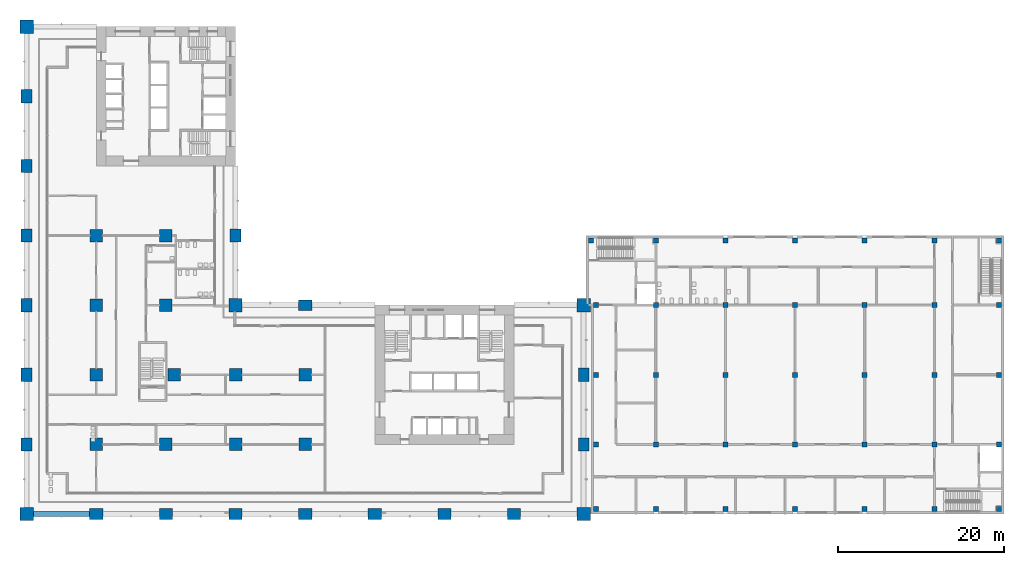
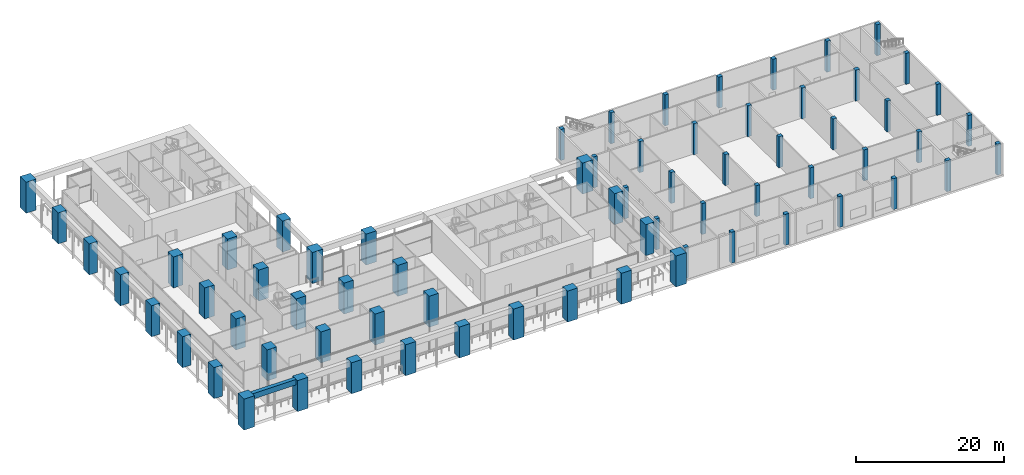
# One storey, part 1 of 33: 69 columns, 1 beam.
"""IFC4 building model written with IfcOpenShell, lengths in metres."""

import ifcopenshell
import ifcopenshell.guid

model = None  # the IFC model being written
_history = None  # IfcOwnerHistory: only IFC2X3 demands one
_inside = {}  # id of a spatial element -> (the spatial element, [elements in it])
_under = {}  # id of a project, library or spatial element -> (it, [spatial elements below it])
_declared = {}  # id of a project -> (the project, [libraries it declares])
_typed = {}  # id of a type object -> (the type object, [elements of that type])
_made_of = {}  # id of a material, layer set ... -> (it, [elements and type objects made of it])


def new_model(schema):
    """Start an empty IFC model of exactly this schema.

    Asked for "IFC4X3", IfcOpenShell would pick the latest addendum, in which some entities
    have other attributes; the version numbers below select the first issue.
    IFC2X3 requires an IfcOwnerHistory on every rooted entity: one is made here for all.
    """
    global model, _history
    if schema == "IFC4X3":
        model = ifcopenshell.file(schema_version=(4, 3, 0, 0))
    else:
        model = ifcopenshell.file(schema=schema)
    _inside.clear()
    _under.clear()
    _declared.clear()
    _typed.clear()
    _made_of.clear()
    _history = None
    if model.schema == "IFC2X3":
        org = make("IfcOrganization", Name="unknown")
        user = make(
            "IfcPersonAndOrganization",
            ThePerson=make("IfcPerson", FamilyName="unknown"),
            TheOrganization=org,
        )
        app = make(
            "IfcApplication",
            ApplicationDeveloper=org,
            Version="unknown",
            ApplicationFullName="unknown",
            ApplicationIdentifier="unknown",
        )
        _history = make(
            "IfcOwnerHistory",
            OwningUser=user,
            OwningApplication=app,
            ChangeAction="ADDED",
            CreationDate=0,
        )
    return model


def make(cls, **values):
    """One entity of the class cls with the attributes given. An attribute that is None is left unset."""
    return model.create_entity(
        cls, **{name: value for name, value in values.items() if value is not None}
    )


def rooted(cls, **values):
    """An entity with a GlobalId (a new one), such as an element, a storey or a relation."""
    return make(cls, GlobalId=ifcopenshell.guid.new(), OwnerHistory=_history, **values)


def si_unit(unit_type, name, prefix=None):
    """IfcSIUnit, for example si_unit("LENGTHUNIT", "METRE", prefix="MILLI")."""
    return make("IfcSIUnit", UnitType=unit_type, Prefix=prefix, Name=name)


def assignment(units):
    """IfcUnitAssignment: the units of a project."""
    return None if units is None else make("IfcUnitAssignment", Units=units)


def point(xyz):
    """IfcCartesianPoint."""
    return None if xyz is None else make("IfcCartesianPoint", Coordinates=xyz)


def direction(xyz):
    """IfcDirection."""
    return None if xyz is None else make("IfcDirection", DirectionRatios=xyz)


def frame(location, z_axis=None, x_axis=None):
    """IfcAxis2Placement3D, a coordinate frame: its origin and axes. An axis left out is left unset."""
    return make(
        "IfcAxis2Placement3D",
        Location=point(location),
        Axis=direction(z_axis),
        RefDirection=direction(x_axis),
    )


def frame_2d(location, x_axis=None):
    """IfcAxis2Placement2D, a coordinate frame in the plane: its origin and x axis."""
    return make(
        "IfcAxis2Placement2D", Location=point(location), RefDirection=direction(x_axis)
    )


def origin():
    """The frame at (0, 0, 0) with its axes left unset."""
    return frame((0.0, 0.0, 0.0))


def origin_2d():
    """The frame at (0, 0) in the plane with its x axis left unset."""
    return frame_2d((0.0, 0.0))


def place(relative_to, where):
    """IfcLocalPlacement: puts the frame where relative to a parent placement (None: the world)."""
    return make(
        "IfcLocalPlacement", PlacementRelTo=relative_to, RelativePlacement=where
    )


def context(
    kind, dimensions, precision=None, world=None, true_north=None, identifier=None
):
    """IfcGeometricRepresentationContext, for example the 3D "Model" context."""
    return make(
        "IfcGeometricRepresentationContext",
        ContextIdentifier=identifier,
        ContextType=kind,
        CoordinateSpaceDimension=dimensions,
        Precision=precision,
        WorldCoordinateSystem=world,
        TrueNorth=true_north,
    )


def subcontext(parent, identifier, kind, view, scale=None):
    """IfcGeometricRepresentationSubContext, for example "Body" below "Model"."""
    return make(
        "IfcGeometricRepresentationSubContext",
        ContextIdentifier=identifier,
        ContextType=kind,
        ParentContext=parent,
        TargetScale=scale,
        TargetView=view,
    )


def project(units=None, contexts=None):
    """IfcProject with its units and contexts."""
    return rooted(
        "IfcProject",
        Name="project",
        RepresentationContexts=contexts,
        UnitsInContext=assignment(units),
    )


def spatial(cls, under=None, at=None, **own):
    """A site, building, storey or space (cls), placed at a placement, below another one or the project."""
    s = rooted(cls, ObjectPlacement=at, **own)
    if under is not None:
        _under.setdefault(under.id(), (under, []))[1].append(s)
    return s


def profile(cls, at=None, kind="AREA", **sizes):
    """A parametric profile (cls). Its sizes go by their IFC names, for example OverallWidth=200.0."""
    return make(cls, ProfileType=kind, Position=at, **sizes)


def rectangle(**sizes):
    """IfcRectangleProfileDef."""
    return profile("IfcRectangleProfileDef", **sizes)


def extrude(swept, where, along, depth):
    """IfcExtrudedAreaSolid: the profile swept, set in the frame where, extruded along a direction by depth."""
    return make(
        "IfcExtrudedAreaSolid",
        SweptArea=swept,
        Position=where,
        ExtrudedDirection=direction(along),
        Depth=depth,
    )


def shape(context_of_items, identifier, shape_type, items):
    """IfcShapeRepresentation: the items that make up one representation, for example the "Body"."""
    return make(
        "IfcShapeRepresentation",
        ContextOfItems=context_of_items,
        RepresentationIdentifier=identifier,
        RepresentationType=shape_type,
        Items=items,
    )


def material(Name=None, Category=None):
    """IfcMaterial."""
    return make("IfcMaterial", Name=Name, Category=Category)


def material_profile(
    of_material, cross_section, Name=None, Category=None, Priority=None
):
    """IfcMaterialProfile: a cross section and its material."""
    return make(
        "IfcMaterialProfile",
        Name=Name,
        Material=of_material,
        Profile=cross_section,
        Priority=Priority,
        Category=Category,
    )


def profile_set(profiles, Name=None, composite=None):
    """IfcMaterialProfileSet."""
    return make(
        "IfcMaterialProfileSet",
        Name=Name,
        MaterialProfiles=profiles,
        CompositeProfile=composite,
    )


def made_of(thing, what):
    """Note that an element or type object is made of a material, layer set ...; save() writes the relation."""
    if what is not None:
        _made_of.setdefault(what.id(), (what, []))[1].append(thing)
    return thing


def type_object(cls, material=None, **own):
    """A type object (cls), such as IfcWallType, which elements share."""
    return made_of(rooted(cls, **own), material)


def element(
    cls,
    number,
    at=None,
    inside=None,
    cuts=None,
    type_object=None,
    material=None,
    context=None,
    identifier="Body",
    shape_type=None,
    held_by="IfcProductDefinitionShape",
    body=None,
    shapes=None,
    **own,
):
    """One element of the class cls, such as IfcWall. Its Tag is "e" and its number.

    at: its placement. inside: the storey or other place that contains it. cuts: it is an
    opening in that element (IfcRelVoidsElement). A single representation is given by context,
    identifier, shape_type and body (its items); several are given by shapes. held_by: the class
    of the entity that holds the representations. save() writes the other relations.
    """
    e = rooted(cls, Tag="e%d" % number, ObjectPlacement=at, **own)
    if body is not None:
        shapes = [shape(context, identifier, shape_type, body)]
    if shapes is not None:
        e.Representation = make(held_by, Representations=shapes)
    if inside is not None:
        _inside.setdefault(inside.id(), (inside, []))[1].append(e)
    if cuts is not None:
        rooted(
            "IfcRelVoidsElement", RelatingBuildingElement=cuts, RelatedOpeningElement=e
        )
    if type_object is not None:
        _typed.setdefault(type_object.id(), (type_object, []))[1].append(e)
    return made_of(e, material)


def aggregate(whole, parts):
    """IfcRelAggregates: a whole, such as a stair, and the parts it consists of."""
    return rooted("IfcRelAggregates", RelatingObject=whole, RelatedObjects=parts)


def save(model, path):
    """Write the relations noted so far, then the file.

    IfcRelAggregates (storeys below a building ...), IfcRelContainedInSpatialStructure (elements
    in a storey), IfcRelDefinesByType, IfcRelAssociatesMaterial and IfcRelDeclares: one each for
    every whole, place, type object, material and project.
    """
    for whole, parts in _under.values():
        aggregate(whole, parts)
    for where, things in _inside.values():
        rooted(
            "IfcRelContainedInSpatialStructure",
            RelatedElements=things,
            RelatingStructure=where,
        )
    for kind, things in _typed.values():
        rooted("IfcRelDefinesByType", RelatedObjects=things, RelatingType=kind)
    for what, things in _made_of.values():
        rooted("IfcRelAssociatesMaterial", RelatedObjects=things, RelatingMaterial=what)
    for by, libraries in _declared.values():
        rooted("IfcRelDeclares", RelatingContext=by, RelatedDefinitions=libraries)
    model.write(path)


model = new_model("IFC4")

# Units and contexts
model_context = context("Model", 3, precision=1e-05, world=origin(), true_north=direction((0.0, 1.0)))
body_context = subcontext(model_context, "Body", "Model", "MODEL_VIEW")
ifc_project = project(units=[si_unit("LENGTHUNIT", "METRE"), si_unit("AREAUNIT", "SQUARE_METRE"), si_unit("VOLUMEUNIT", "CUBIC_METRE"), si_unit("PLANEANGLEUNIT", "RADIAN"), si_unit("MASSUNIT", "GRAM", prefix="KILO")], contexts=[model_context])

# Site, building, storey
site_placement = place(None, origin())
site = spatial("IfcSite", under=ifc_project, at=site_placement, CompositionType="ELEMENT")
building_placement = place(site_placement, origin())
building = spatial("IfcBuilding", under=site, at=building_placement, Name="Vermilion Gate Residences", CompositionType="ELEMENT")
storey_placement = place(building_placement, frame((0.0, 0.0, 14.39990234375)))
storey = spatial("IfcBuildingStorey", under=building, at=storey_placement, Name="L02", CompositionType="ELEMENT", Elevation=14.39990234375)

# Columns
ifc_material_1 = material(Name="Concrete C80", Category="concrete")
ifc_material_profile_1 = material_profile(ifc_material_1, rectangle(XDim=1.5, YDim=1.5, at=origin_2d()), Name="RC-1500x1500")
ifc_profile_set_1 = profile_set([ifc_material_profile_1], Name="Concrete C80")
column_type_1 = type_object("IfcColumnType", Name="RC COLUMN 1500 X 1500 C80", PredefinedType="COLUMN", material=ifc_profile_set_1)
for number, where, z_axis, x_axis, name in (
    (1, (8.39990234375, 8.39990234375, 0.0), (0.0, 0.0, 1.0), (1.0, 0.0, 0.0), "Column 2-B L02"),
    (2, (8.39990234375, 16.800048828125, 0.0), (0.0, 0.0, 1.0), (1.0, 0.0, 0.0), "Column 2-C L02"),
    (3, (8.39990234375, 25.199951171875, 0.0), (0.0, 0.0, 1.0), (1.0, 0.0, 0.0), "Column 2-D L02"),
    (4, (8.39990234375, 33.60009765625, 0.0), (0.0, 0.0, 1.0), (1.0, 0.0, 0.0), "Column 2-E L02"),
    (5, (16.800048828125, 8.39990234375, 0.0), (0.0, 0.0, 1.0), (1.0, 0.0, 0.0), "Column 3-B L02"),
    (6, (17.800048828125, 16.800048828125, 0.0), (0.0, 0.0, 1.0), (1.0, 0.0, 0.0), "Column 3-C L02"),
    (7, (16.800048828125, 25.199951171875, 0.0), (0.0, 0.0, 1.0), (1.0, 0.0, 0.0), "Column 3-D L02"),
    (8, (16.800048828125, 33.60009765625, 0.0), (0.0, 0.0, 1.0), (1.0, 0.0, 0.0), "Column 3-E L02"),
    (9, (25.199951171875, 8.39990234375, 0.0), (0.0, 0.0, 1.0), (1.0, 0.0, 0.0), "Column 4-B L02"),
    (10, (25.199951171875, 16.800048828125, 0.0), (0.0, 0.0, 1.0), (1.0, 0.0, 0.0), "Column 4-C L02"),
    (11, (33.60009765625, 8.39990234375, 0.0), (0.0, 0.0, 1.0), (1.0, 0.0, 0.0), "Column 5-B L02"),
    (12, (33.60009765625, 16.800048828125, 0.0), (0.0, 0.0, 1.0), (1.0, 0.0, 0.0), "Column 5-C L02"),
):
    element("IfcColumn", number, at=place(storey_placement, frame(where, z_axis=z_axis, x_axis=x_axis)), inside=storey, type_object=column_type_1, Name=name, PredefinedType="COLUMN", context=body_context, shape_type="SweptSolid", body=[
        extrude(rectangle(XDim=1.5, YDim=1.5, at=origin_2d()), origin(), (0.0, 0.0, 1.0), 5.10009765625),
    ])
ifc_material_2 = material(Name="Concrete C80", Category="concrete")
ifc_material_profile_2 = material_profile(ifc_material_2, rectangle(XDim=1.60009765625, YDim=1.300048828125, at=origin_2d()), Name="RC-1600x1300")
ifc_profile_set_2 = profile_set([ifc_material_profile_2], Name="Concrete C80")
column_type_2 = type_object("IfcColumnType", Name="RC COLUMN 1600 X 1300 C80", PredefinedType="COLUMN", material=ifc_profile_set_2)
for number, where, z_axis, x_axis, name in (
    (13, (0.0, 8.39990234375, 0.0), (0.0, 0.0, 1.0), (0.0, 1.0, 0.0), "Column 1-B L02"),
    (14, (0.0, 16.800048828125, 0.0), (0.0, 0.0, 1.0), (0.0, 1.0, 0.0), "Column 1-C L02"),
    (15, (0.0, 25.199951171875, 0.0), (0.0, 0.0, 1.0), (0.0, 1.0, 0.0), "Column 1-D L02"),
    (16, (0.0, 33.60009765625, 0.0), (0.0, 0.0, 1.0), (0.0, 1.0, 0.0), "Column 1-E L02"),
    (17, (0.0, 42.0, 0.0), (0.0, 0.0, 1.0), (0.0, 1.0, 0.0), "Column 1-F L02"),
    (18, (0.0, 50.39990234375, 0.0), (0.0, 0.0, 1.0), (0.0, 1.0, 0.0), "Column 1-G L02"),
    (19, (8.39990234375, 0.0, 0.0), (0.0, 0.0, 1.0), (1.0, 0.0, 0.0), "Column 2-A L02"),
    (20, (16.800048828125, 0.0, 0.0), (0.0, 0.0, 1.0), (1.0, 0.0, 0.0), "Column 3-A L02"),
    (21, (25.199951171875, 0.0, 0.0), (0.0, 0.0, 1.0), (1.0, 0.0, 0.0), "Column 4-A L02"),
    (22, (25.199951171875, 33.60009765625, 0.0), (0.0, 0.0, 1.0), (0.0, 1.0, 0.0), "Column 4-E L02"),
    (23, (33.60009765625, 0.0, 0.0), (0.0, 0.0, 1.0), (1.0, 0.0, 0.0), "Column 5-A L02"),
    (24, (33.60009765625, 25.199951171875, 0.0), (0.0, 0.0, 1.0), (1.0, 0.0, 0.0), "Column 5-D L02"),
    (25, (42.0, 0.0, 0.0), (0.0, 0.0, 1.0), (1.0, 0.0, 0.0), "Column 6-A L02"),
    (26, (50.39990234375, 0.0, 0.0), (0.0, 0.0, 1.0), (1.0, 0.0, 0.0), "Column 7-A L02"),
    (27, (58.800048828125, 0.0, 0.0), (0.0, 0.0, 1.0), (1.0, 0.0, 0.0), "Column 8-A L02"),
    (28, (67.199951171875, 8.39990234375, 0.0), (0.0, 0.0, 1.0), (0.0, 1.0, 0.0), "Column 9-B L02"),
    (29, (67.199951171875, 16.800048828125, 0.0), (0.0, 0.0, 1.0), (0.0, 1.0, 0.0), "Column 9-C L02"),
):
    element("IfcColumn", number, at=place(storey_placement, frame(where, z_axis=z_axis, x_axis=x_axis)), inside=storey, type_object=column_type_2, Name=name, PredefinedType="COLUMN", context=body_context, shape_type="SweptSolid", body=[
        extrude(rectangle(XDim=1.60009765625, YDim=1.300048828125, at=origin_2d()), origin(), (0.0, 0.0, 1.0), 5.10009765625),
    ])
ifc_material_3 = material(Name="Concrete C80", Category="concrete")
ifc_material_profile_3 = material_profile(ifc_material_3, rectangle(XDim=1.60009765625, YDim=1.60009765625, at=origin_2d()), Name="RC-1600x1600")
ifc_profile_set_3 = profile_set([ifc_material_profile_3], Name="Concrete C80")
column_type_3 = type_object("IfcColumnType", Name="RC COLUMN 1600 X 1600 C80", PredefinedType="COLUMN", material=ifc_profile_set_3)
for number, where, z_axis, x_axis, name in (
    (30, (0.0, 0.0, 0.0), (0.0, 0.0, 1.0), (1.0, 0.0, 0.0), "Column 1-A L02"),
    (31, (0.0, 58.800048828125, 0.0), (0.0, 0.0, 1.0), (1.0, 0.0, 0.0), "Column 1-H L02"),
    (32, (25.199951171875, 25.199951171875, 0.0), (0.0, 0.0, 1.0), (1.0, 0.0, 0.0), "Column 4-D L02"),
    (33, (67.199951171875, 0.0, 0.0), (0.0, 0.0, 1.0), (1.0, 0.0, 0.0), "Column 9-A L02"),
    (34, (67.199951171875, 25.199951171875, 0.0), (0.0, 0.0, 1.0), (1.0, 0.0, 0.0), "Column 9-D L02"),
):
    element("IfcColumn", number, at=place(storey_placement, frame(where, z_axis=z_axis, x_axis=x_axis)), inside=storey, type_object=column_type_3, Name=name, PredefinedType="COLUMN", context=body_context, shape_type="SweptSolid", body=[
        extrude(rectangle(XDim=1.60009765625, YDim=1.60009765625, at=origin_2d()), origin(), (0.0, 0.0, 1.0), 5.10009765625),
    ])
ifc_material_4 = material(Name="Concrete C45", Category="concrete")
ifc_material_profile_4 = material_profile(ifc_material_4, rectangle(XDim=0.60009765625, YDim=0.60009765625, at=origin_2d()), Name="RC COLUMN 600 X 600 C45 (MARKET HALL)")
ifc_profile_set_4 = profile_set([ifc_material_profile_4], Name="Concrete C45")
column_type_4 = type_object("IfcColumnType", Name="RC COLUMN 600 X 600 C45 (MARKET HALL)", PredefinedType="COLUMN", material=ifc_profile_set_4)
for number, where, z_axis, x_axis, name in (
    (35, (68.699951171875, 0.60009765625, 0.0), (0.0, 0.0, 1.0), (1.0, 0.0, 0.0), "Column H1-MA L02"),
    (36, (68.699951171875, 8.39990234375, 0.0), (0.0, 0.0, 1.0), (1.0, 0.0, 0.0), "Column H1-MB L02"),
    (37, (68.699951171875, 16.800048828125, 0.0), (0.0, 0.0, 1.0), (1.0, 0.0, 0.0), "Column H1-MC L02"),
    (38, (68.699951171875, 25.199951171875, 0.0), (0.0, 0.0, 1.0), (1.0, 0.0, 0.0), "Column H1-MD L02"),
    (39, (68.10009765625, 33.0, 0.0), (0.0, 0.0, 1.0), (1.0, 0.0, 0.0), "Column H1-ME L02"),
    (40, (75.89990234375, 0.60009765625, 0.0), (0.0, 0.0, 1.0), (1.0, 0.0, 0.0), "Column H2-MA L02"),
    (41, (75.89990234375, 8.39990234375, 0.0), (0.0, 0.0, 1.0), (1.0, 0.0, 0.0), "Column H2-MB L02"),
    (42, (75.89990234375, 16.800048828125, 0.0), (0.0, 0.0, 1.0), (1.0, 0.0, 0.0), "Column H2-MC L02"),
    (43, (75.89990234375, 25.199951171875, 0.0), (0.0, 0.0, 1.0), (1.0, 0.0, 0.0), "Column H2-MD L02"),
    (44, (75.89990234375, 33.0, 0.0), (0.0, 0.0, 1.0), (1.0, 0.0, 0.0), "Column H2-ME L02"),
    (45, (84.300048828125, 0.60009765625, 0.0), (0.0, 0.0, 1.0), (1.0, 0.0, 0.0), "Column H3-MA L02"),
    (46, (84.300048828125, 8.39990234375, 0.0), (0.0, 0.0, 1.0), (1.0, 0.0, 0.0), "Column H3-MB L02"),
    (47, (84.300048828125, 16.800048828125, 0.0), (0.0, 0.0, 1.0), (1.0, 0.0, 0.0), "Column H3-MC L02"),
    (48, (84.300048828125, 25.199951171875, 0.0), (0.0, 0.0, 1.0), (1.0, 0.0, 0.0), "Column H3-MD L02"),
    (49, (84.300048828125, 33.0, 0.0), (0.0, 0.0, 1.0), (1.0, 0.0, 0.0), "Column H3-ME L02"),
    (50, (92.699951171875, 0.60009765625, 0.0), (0.0, 0.0, 1.0), (1.0, 0.0, 0.0), "Column H4-MA L02"),
    (51, (92.699951171875, 8.39990234375, 0.0), (0.0, 0.0, 1.0), (1.0, 0.0, 0.0), "Column H4-MB L02"),
    (52, (92.699951171875, 16.800048828125, 0.0), (0.0, 0.0, 1.0), (1.0, 0.0, 0.0), "Column H4-MC L02"),
    (53, (92.699951171875, 25.199951171875, 0.0), (0.0, 0.0, 1.0), (1.0, 0.0, 0.0), "Column H4-MD L02"),
    (54, (92.699951171875, 33.0, 0.0), (0.0, 0.0, 1.0), (1.0, 0.0, 0.0), "Column H4-ME L02"),
    (55, (101.10009765625, 0.60009765625, 0.0), (0.0, 0.0, 1.0), (1.0, 0.0, 0.0), "Column H5-MA L02"),
    (56, (101.10009765625, 8.39990234375, 0.0), (0.0, 0.0, 1.0), (1.0, 0.0, 0.0), "Column H5-MB L02"),
    (57, (101.10009765625, 16.800048828125, 0.0), (0.0, 0.0, 1.0), (1.0, 0.0, 0.0), "Column H5-MC L02"),
    (58, (101.10009765625, 25.199951171875, 0.0), (0.0, 0.0, 1.0), (1.0, 0.0, 0.0), "Column H5-MD L02"),
    (59, (101.10009765625, 33.0, 0.0), (0.0, 0.0, 1.0), (1.0, 0.0, 0.0), "Column H5-ME L02"),
    (60, (109.5, 0.60009765625, 0.0), (0.0, 0.0, 1.0), (1.0, 0.0, 0.0), "Column H6-MA L02"),
    (61, (109.5, 8.39990234375, 0.0), (0.0, 0.0, 1.0), (1.0, 0.0, 0.0), "Column H6-MB L02"),
    (62, (109.5, 16.800048828125, 0.0), (0.0, 0.0, 1.0), (1.0, 0.0, 0.0), "Column H6-MC L02"),
    (63, (109.5, 25.199951171875, 0.0), (0.0, 0.0, 1.0), (1.0, 0.0, 0.0), "Column H6-MD L02"),
    (64, (109.5, 33.0, 0.0), (0.0, 0.0, 1.0), (1.0, 0.0, 0.0), "Column H6-ME L02"),
    (65, (117.300048828125, 0.60009765625, 0.0), (0.0, 0.0, 1.0), (1.0, 0.0, 0.0), "Column H7-MA L02"),
    (66, (117.300048828125, 8.39990234375, 0.0), (0.0, 0.0, 1.0), (1.0, 0.0, 0.0), "Column H7-MB L02"),
    (67, (117.300048828125, 16.800048828125, 0.0), (0.0, 0.0, 1.0), (1.0, 0.0, 0.0), "Column H7-MC L02"),
    (68, (117.300048828125, 25.199951171875, 0.0), (0.0, 0.0, 1.0), (1.0, 0.0, 0.0), "Column H7-MD L02"),
    (69, (117.300048828125, 33.0, 0.0), (0.0, 0.0, 1.0), (1.0, 0.0, 0.0), "Column H7-ME L02"),
):
    element("IfcColumn", number, at=place(storey_placement, frame(where, z_axis=z_axis, x_axis=x_axis)), inside=storey, type_object=column_type_4, Name=name, PredefinedType="COLUMN", context=body_context, shape_type="SweptSolid", body=[
        extrude(rectangle(XDim=0.60009765625, YDim=0.60009765625, at=origin_2d()), origin(), (0.0, 0.0, 1.0), 5.10009765625),
    ])

# Beam
ifc_material_5 = material(Name="Concrete C60 red-oxide pigmented", Category="concrete")
ifc_material_profile_5 = material_profile(ifc_material_5, rectangle(XDim=0.60009765625, YDim=0.89990234375, at=origin_2d()), Name="RC-600x900")
ifc_profile_set_5 = profile_set([ifc_material_profile_5], Name="Concrete C60 red-oxide pigmented")
beam_type = type_object("IfcBeamType", Name="RC EDGE BEAM 600 X 900 C60", PredefinedType="BEAM", material=ifc_profile_set_5)
beam_placement = place(storey_placement, frame((0.800048828125, 0.0, 4.650146484375), z_axis=(1.0, 0.0, 0.0), x_axis=(0.0, 1.0, 0.0)))
element("IfcBeam", 70, at=beam_placement, inside=storey, type_object=beam_type, Name="Edge beam L02 1", PredefinedType="BEAM", context=body_context, shape_type="SweptSolid", body=[
    extrude(rectangle(XDim=0.60009765625, YDim=0.89990234375, at=origin_2d()), origin(), (0.0, 0.0, 1.0), 6.800048828125),
])

save(model, "model.ifc")
